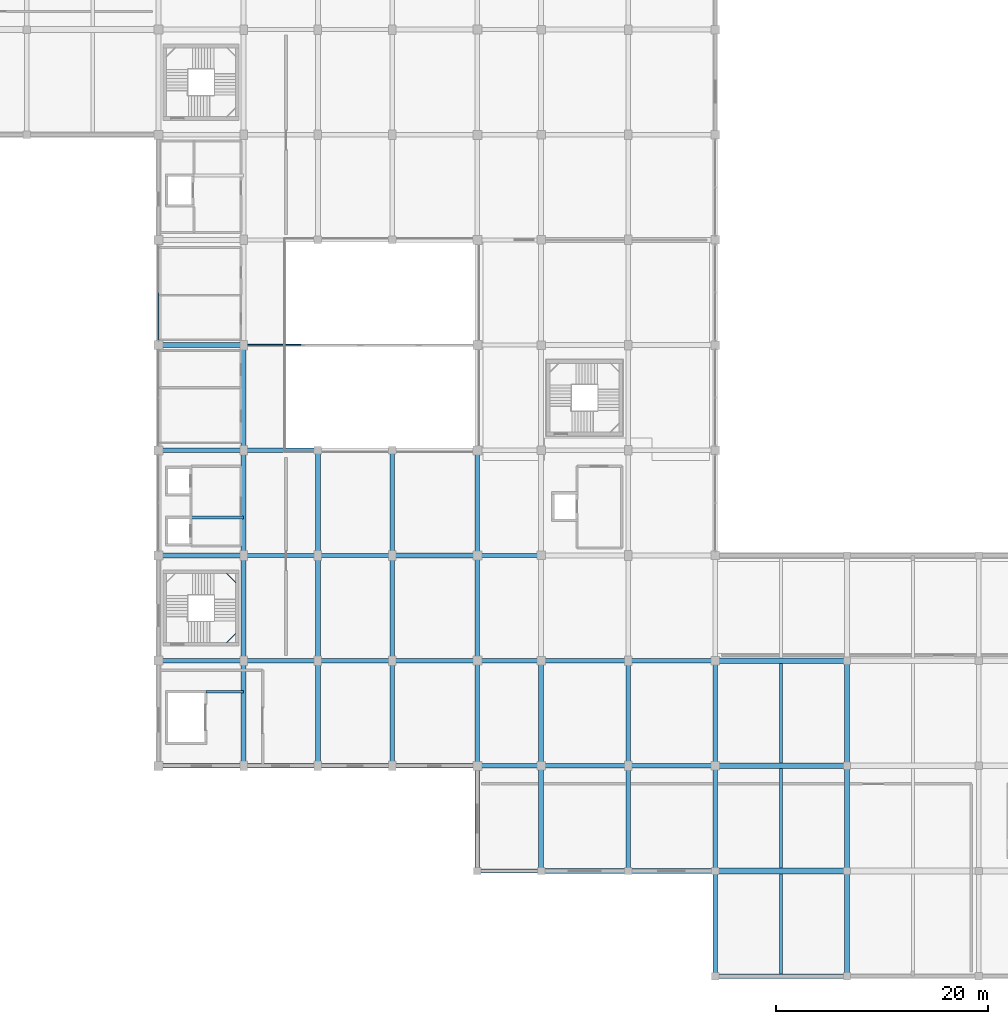
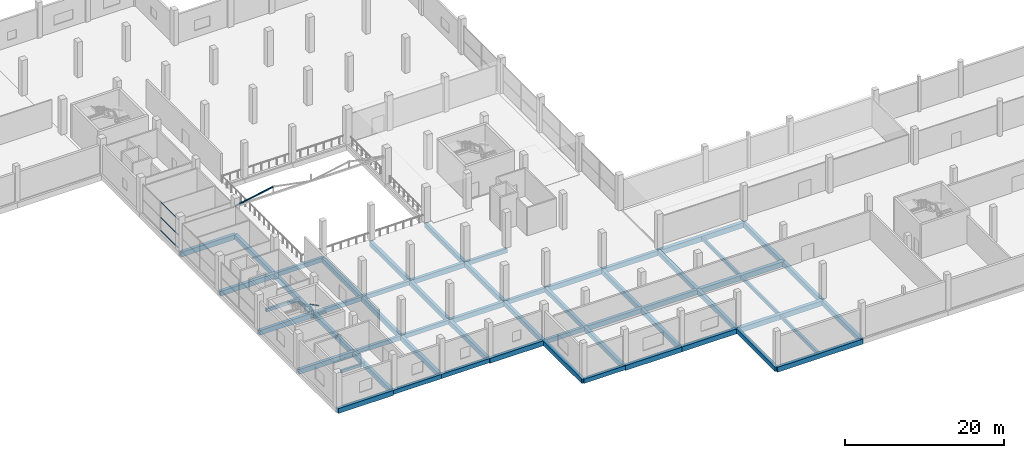
# One storey, part 6 of 74: 60 beams, 4 members, 1 element without a shape of its own.
"""IFC4 building model written with IfcOpenShell, lengths in metres."""

from ifc_helpers import new_model, si_unit, direction, frame, origin, origin_2d, place, context, subcontext, project, spatial, rectangle, hollow_rectangle, extrude, material, layer, layer_set, material_profile, profile_set, type_object, element, aggregate, save


model = new_model("IFC4")

# Units and contexts
model_context = context("Model", 3, precision=1e-05, world=origin(), true_north=direction((0.0, 1.0)))
body_context = subcontext(model_context, "Body", "Model", "MODEL_VIEW")
ifc_project = project(units=[si_unit("LENGTHUNIT", "METRE"), si_unit("AREAUNIT", "SQUARE_METRE"), si_unit("VOLUMEUNIT", "CUBIC_METRE"), si_unit("PLANEANGLEUNIT", "RADIAN"), si_unit("MASSUNIT", "GRAM", prefix="KILO")], contexts=[model_context])

# Site, building, storey
site_placement = place(None, origin())
site = spatial("IfcSite", under=ifc_project, at=site_placement, CompositionType="ELEMENT")
building_placement = place(site_placement, origin())
building = spatial("IfcBuilding", under=site, at=building_placement, Name="Sillaruma Civic Art Gallery", CompositionType="ELEMENT")
storey_placement = place(building_placement, frame((0.0, 0.0, 5.43994140625)))
storey = spatial("IfcBuildingStorey", under=building, at=storey_placement, Name="L01", CompositionType="ELEMENT", Elevation=5.43994140625)

# Beams
ifc_material_1 = material(Name="Concrete H35 (35 MPa)", Category="concrete")
ifc_material_profile_1 = material_profile(ifc_material_1, rectangle(XDim=0.39990234375, YDim=0.64990234375, at=origin_2d()), Name="RCB400x650")
ifc_profile_set_1 = profile_set([ifc_material_profile_1], Name="Concrete H35 (35 MPa)")
beam_type_1 = type_object("IfcBeamType", Name="BM-BEAM-RCB400x650", PredefinedType="BEAM", material=ifc_profile_set_1)
beam_1_placement = place(storey_placement, frame((92.0, 9.89990234375, -0.5849609375), z_axis=(1.0, 0.0, 0.0), x_axis=(0.0, 1.0, 0.0)))
element("IfcBeam", 1, at=beam_1_placement, inside=storey, type_object=beam_type_1, Name="Beam BM-05 (L00:2:K-L)", PredefinedType="BEAM", context=body_context, shape_type="SweptSolid", body=[
    extrude(rectangle(XDim=0.39990234375, YDim=0.64990234375, at=origin_2d()), origin(), (0.0, 0.0, 1.0), 6.0),
])
for number, where, z_axis, x_axis, name in (
    (2, (70.0, 19.800048828125, -0.5849609375), (1.0, 0.0, 0.0), (0.0, 1.0, 0.0), "Beam BM-05 (L00:3:G-H)"),
    (3, (77.0, 19.800048828125, -0.5849609375), (1.0, 0.0, 0.0), (0.0, 1.0, 0.0), "Beam BM-05 (L00:3:H-J)"),
):
    element("IfcBeam", number, at=place(storey_placement, frame(where, z_axis=z_axis, x_axis=x_axis)), inside=storey, type_object=beam_type_1, Name=name, PredefinedType="BEAM", context=body_context, shape_type="SweptSolid", body=[
        extrude(rectangle(XDim=0.39990234375, YDim=0.64990234375, at=origin_2d()), origin(), (0.0, 0.0, 1.0), 7.0),
    ])
beam_2_placement = place(storey_placement, frame((92.0, 19.800048828125, -0.5849609375), z_axis=(1.0, 0.0, 0.0), x_axis=(0.0, 1.0, 0.0)))
element("IfcBeam", 4, at=beam_2_placement, inside=storey, type_object=beam_type_1, Name="Beam BM-05 (L00:3:K-L)", PredefinedType="BEAM", context=body_context, shape_type="SweptSolid", body=[
    extrude(rectangle(XDim=0.39990234375, YDim=0.64990234375, at=origin_2d()), origin(), (0.0, 0.0, 1.0), 6.0),
])
for number, where, z_axis, x_axis, name in (
    (5, (70.0, 29.699951171875, -0.5849609375), (1.0, 0.0, 0.0), (0.0, 1.0, 0.0), "Beam BM-05 (L00:4:G-H)"),
    (6, (77.0, 29.699951171875, -0.5849609375), (1.0, 0.0, 0.0), (0.0, 1.0, 0.0), "Beam BM-05 (L00:4:H-J)"),
):
    element("IfcBeam", number, at=place(storey_placement, frame(where, z_axis=z_axis, x_axis=x_axis)), inside=storey, type_object=beam_type_1, Name=name, PredefinedType="BEAM", context=body_context, shape_type="SweptSolid", body=[
        extrude(rectangle(XDim=0.39990234375, YDim=0.64990234375, at=origin_2d()), origin(), (0.0, 0.0, 1.0), 7.0),
    ])
beam_3_placement = place(storey_placement, frame((92.0, 29.699951171875, -0.5849609375), z_axis=(1.0, 0.0, 0.0), x_axis=(0.0, 1.0, 0.0)))
element("IfcBeam", 7, at=beam_3_placement, inside=storey, type_object=beam_type_1, Name="Beam BM-05 (L00:4:K-L)", PredefinedType="BEAM", context=body_context, shape_type="SweptSolid", body=[
    extrude(rectangle(XDim=0.39990234375, YDim=0.64990234375, at=origin_2d()), origin(), (0.0, 0.0, 1.0), 6.0),
])
for number, where, z_axis, x_axis, name in (
    (8, (70.0, 39.60009765625, -0.5849609375), (1.0, 0.0, 0.0), (0.0, 1.0, 0.0), "Beam BM-05 (L00:5:G-H)"),
    (9, (77.0, 39.60009765625, -0.5849609375), (1.0, 0.0, 0.0), (0.0, 1.0, 0.0), "Beam BM-05 (L00:5:H-J)"),
):
    element("IfcBeam", number, at=place(storey_placement, frame(where, z_axis=z_axis, x_axis=x_axis)), inside=storey, type_object=beam_type_1, Name=name, PredefinedType="BEAM", context=body_context, shape_type="SweptSolid", body=[
        extrude(rectangle(XDim=0.39990234375, YDim=0.64990234375, at=origin_2d()), origin(), (0.0, 0.0, 1.0), 7.0),
    ])
beam_4_placement = place(storey_placement, frame((92.0, 39.60009765625, -0.5849609375), z_axis=(1.0, 0.0, 0.0), x_axis=(0.0, 1.0, 0.0)))
element("IfcBeam", 10, at=beam_4_placement, inside=storey, type_object=beam_type_1, Name="Beam BM-05 (L00:5:K-L)", PredefinedType="BEAM", context=body_context, shape_type="SweptSolid", body=[
    extrude(rectangle(XDim=0.39990234375, YDim=0.64990234375, at=origin_2d()), origin(), (0.0, 0.0, 1.0), 6.0),
])
beam_5_placement = place(storey_placement, frame((70.0, 49.5, -0.5849609375), z_axis=(1.0, 0.0, 0.0), x_axis=(0.0, 1.0, 0.0)))
element("IfcBeam", 11, at=beam_5_placement, inside=storey, type_object=beam_type_1, Name="Beam BM-05 (L00:6:G-H)", PredefinedType="BEAM", context=body_context, shape_type="SweptSolid", body=[
    extrude(rectangle(XDim=0.39990234375, YDim=0.64990234375, at=origin_2d()), origin(), (0.0, 0.0, 1.0), 7.0),
])
ifc_material_2 = material(Name="Concrete H40 (40 MPa)", Category="concrete")
ifc_material_profile_2 = material_profile(ifc_material_2, rectangle(XDim=0.449951171875, YDim=0.75, at=origin_2d()), Name="RCB450x750")
ifc_profile_set_2 = profile_set([ifc_material_profile_2], Name="Concrete H40 (40 MPa)")
beam_type_2 = type_object("IfcBeamType", Name="BM-BEAM-RCB450x750", PredefinedType="BEAM", material=ifc_profile_set_2)
for number, where, z_axis, x_axis, name in (
    (12, (98.0, 9.89990234375, -0.635009765625), (1.0, 0.0, 0.0), (0.0, 1.0, 0.0), "Beam BM-03 (L00:2:L-M)"),
    (13, (106.199951171875, 9.89990234375, -0.635009765625), (1.0, 0.0, 0.0), (0.0, 1.0, 0.0), "Beam BM-03 (L00:2:M-N)"),
):
    element("IfcBeam", number, at=place(storey_placement, frame(where, z_axis=z_axis, x_axis=x_axis)), inside=storey, type_object=beam_type_2, Name=name, PredefinedType="BEAM", context=body_context, shape_type="SweptSolid", body=[
        extrude(rectangle(XDim=0.449951171875, YDim=0.75, at=origin_2d()), origin(), (0.0, 0.0, 1.0), 8.199951171875),
    ])
for number, where, z_axis, x_axis, name in (
    (14, (62.0, 19.800048828125, -0.635009765625), (1.0, 0.0, 0.0), (0.0, 1.0, 0.0), "Beam BM-03 (L00:3:F-G)"),
    (15, (84.0, 19.800048828125, -0.635009765625), (1.0, 0.0, 0.0), (0.0, 1.0, 0.0), "Beam BM-03 (L00:3:J-K)"),
):
    element("IfcBeam", number, at=place(storey_placement, frame(where, z_axis=z_axis, x_axis=x_axis)), inside=storey, type_object=beam_type_2, Name=name, PredefinedType="BEAM", context=body_context, shape_type="SweptSolid", body=[
        extrude(rectangle(XDim=0.449951171875, YDim=0.75, at=origin_2d()), origin(), (0.0, 0.0, 1.0), 8.0),
    ])
for number, where, z_axis, x_axis, name in (
    (16, (98.0, 19.800048828125, -0.635009765625), (1.0, 0.0, 0.0), (0.0, 1.0, 0.0), "Beam BM-03 (L00:3:L-M)"),
    (17, (106.199951171875, 19.800048828125, -0.635009765625), (1.0, 0.0, 0.0), (0.0, 1.0, 0.0), "Beam BM-03 (L00:3:M-N)"),
):
    element("IfcBeam", number, at=place(storey_placement, frame(where, z_axis=z_axis, x_axis=x_axis)), inside=storey, type_object=beam_type_2, Name=name, PredefinedType="BEAM", context=body_context, shape_type="SweptSolid", body=[
        extrude(rectangle(XDim=0.449951171875, YDim=0.75, at=origin_2d()), origin(), (0.0, 0.0, 1.0), 8.199951171875),
    ])
for number, where, z_axis, x_axis, name in (
    (18, (62.0, 29.699951171875, -0.635009765625), (1.0, 0.0, 0.0), (0.0, 1.0, 0.0), "Beam BM-03 (L00:4:F-G)"),
    (19, (84.0, 29.699951171875, -0.635009765625), (1.0, 0.0, 0.0), (0.0, 1.0, 0.0), "Beam BM-03 (L00:4:J-K)"),
):
    element("IfcBeam", number, at=place(storey_placement, frame(where, z_axis=z_axis, x_axis=x_axis)), inside=storey, type_object=beam_type_2, Name=name, PredefinedType="BEAM", context=body_context, shape_type="SweptSolid", body=[
        extrude(rectangle(XDim=0.449951171875, YDim=0.75, at=origin_2d()), origin(), (0.0, 0.0, 1.0), 8.0),
    ])
for number, where, z_axis, x_axis, name in (
    (20, (98.0, 29.699951171875, -0.635009765625), (1.0, 0.0, 0.0), (0.0, 1.0, 0.0), "Beam BM-03 (L00:4:L-M)"),
    (21, (106.199951171875, 29.699951171875, -0.635009765625), (1.0, 0.0, 0.0), (0.0, 1.0, 0.0), "Beam BM-03 (L00:4:M-N)"),
):
    element("IfcBeam", number, at=place(storey_placement, frame(where, z_axis=z_axis, x_axis=x_axis)), inside=storey, type_object=beam_type_2, Name=name, PredefinedType="BEAM", context=body_context, shape_type="SweptSolid", body=[
        extrude(rectangle(XDim=0.449951171875, YDim=0.75, at=origin_2d()), origin(), (0.0, 0.0, 1.0), 8.199951171875),
    ])
for number, where, z_axis, x_axis, name in (
    (22, (62.0, 39.60009765625, -0.635009765625), (1.0, 0.0, 0.0), (0.0, 1.0, 0.0), "Beam BM-03 (L00:5:F-G)"),
    (23, (84.0, 39.60009765625, -0.635009765625), (1.0, 0.0, 0.0), (0.0, 1.0, 0.0), "Beam BM-03 (L00:5:J-K)"),
    (24, (62.0, 49.5, -0.635009765625), (1.0, 0.0, 0.0), (0.0, 1.0, 0.0), "Beam BM-03 (L00:6:F-G)"),
    (25, (62.0, 59.39990234375, -0.635009765625), (1.0, 0.0, 0.0), (0.0, 1.0, 0.0), "Beam BM-03 (L00:7:F-G)"),
):
    element("IfcBeam", number, at=place(storey_placement, frame(where, z_axis=z_axis, x_axis=x_axis)), inside=storey, type_object=beam_type_2, Name=name, PredefinedType="BEAM", context=body_context, shape_type="SweptSolid", body=[
        extrude(rectangle(XDim=0.449951171875, YDim=0.75, at=origin_2d()), origin(), (0.0, 0.0, 1.0), 8.0),
    ])
beam_6_placement = place(storey_placement, frame((70.0, 19.800048828125, -0.635009765625), z_axis=(0.0, 1.0, 0.0), x_axis=(-1.0, 0.0, 0.0)))
element("IfcBeam", 26, at=beam_6_placement, inside=storey, type_object=beam_type_2, Name="Beam BM-03 (L00:G:3-4)", PredefinedType="BEAM", context=body_context, shape_type="SweptSolid", body=[
    extrude(rectangle(XDim=0.449951171875, YDim=0.75, at=origin_2d()), origin(), (0.0, 0.0, 1.0), 9.89990234375),
])
beam_7_placement = place(storey_placement, frame((70.0, 29.699951171875, -0.635009765625), z_axis=(0.0, 1.0, 0.0), x_axis=(-1.0, 0.0, 0.0)))
element("IfcBeam", 27, at=beam_7_placement, inside=storey, type_object=beam_type_2, Name="Beam BM-03 (L00:G:4-5)", PredefinedType="BEAM", context=body_context, shape_type="SweptSolid", body=[
    extrude(rectangle(XDim=0.449951171875, YDim=0.75, at=origin_2d()), origin(), (0.0, 0.0, 1.0), 9.900146484375),
])
for number, where, z_axis, x_axis, name in (
    (28, (70.0, 39.60009765625, -0.635009765625), (0.0, 1.0, 0.0), (-1.0, 0.0, 0.0), "Beam BM-03 (L00:G:5-6)"),
    (29, (70.0, 49.5, -0.635009765625), (0.0, 1.0, 0.0), (-1.0, 0.0, 0.0), "Beam BM-03 (L00:G:6-7)"),
    (30, (77.0, 19.800048828125, -0.635009765625), (0.0, 1.0, 0.0), (-1.0, 0.0, 0.0), "Beam BM-03 (L00:H:3-4)"),
):
    element("IfcBeam", number, at=place(storey_placement, frame(where, z_axis=z_axis, x_axis=x_axis)), inside=storey, type_object=beam_type_2, Name=name, PredefinedType="BEAM", context=body_context, shape_type="SweptSolid", body=[
        extrude(rectangle(XDim=0.449951171875, YDim=0.75, at=origin_2d()), origin(), (0.0, 0.0, 1.0), 9.89990234375),
    ])
beam_8_placement = place(storey_placement, frame((77.0, 29.699951171875, -0.635009765625), z_axis=(0.0, 1.0, 0.0), x_axis=(-1.0, 0.0, 0.0)))
element("IfcBeam", 31, at=beam_8_placement, inside=storey, type_object=beam_type_2, Name="Beam BM-03 (L00:H:4-5)", PredefinedType="BEAM", context=body_context, shape_type="SweptSolid", body=[
    extrude(rectangle(XDim=0.449951171875, YDim=0.75, at=origin_2d()), origin(), (0.0, 0.0, 1.0), 9.900146484375),
])
for number, where, z_axis, x_axis, name in (
    (32, (77.0, 39.60009765625, -0.635009765625), (0.0, 1.0, 0.0), (-1.0, 0.0, 0.0), "Beam BM-03 (L00:H:5-6)"),
    (33, (84.0, 19.800048828125, -0.635009765625), (0.0, 1.0, 0.0), (-1.0, 0.0, 0.0), "Beam BM-03 (L00:J:3-4)"),
):
    element("IfcBeam", number, at=place(storey_placement, frame(where, z_axis=z_axis, x_axis=x_axis)), inside=storey, type_object=beam_type_2, Name=name, PredefinedType="BEAM", context=body_context, shape_type="SweptSolid", body=[
        extrude(rectangle(XDim=0.449951171875, YDim=0.75, at=origin_2d()), origin(), (0.0, 0.0, 1.0), 9.89990234375),
    ])
beam_9_placement = place(storey_placement, frame((84.0, 29.699951171875, -0.635009765625), z_axis=(0.0, 1.0, 0.0), x_axis=(-1.0, 0.0, 0.0)))
element("IfcBeam", 34, at=beam_9_placement, inside=storey, type_object=beam_type_2, Name="Beam BM-03 (L00:J:4-5)", PredefinedType="BEAM", context=body_context, shape_type="SweptSolid", body=[
    extrude(rectangle(XDim=0.449951171875, YDim=0.75, at=origin_2d()), origin(), (0.0, 0.0, 1.0), 9.900146484375),
])
beam_10_placement = place(storey_placement, frame((84.0, 39.60009765625, -0.635009765625), z_axis=(0.0, 1.0, 0.0), x_axis=(-1.0, 0.0, 0.0)))
element("IfcBeam", 35, at=beam_10_placement, inside=storey, type_object=beam_type_2, Name="Beam BM-03 (L00:J:5-6)", PredefinedType="BEAM", context=body_context, shape_type="SweptSolid", body=[
    extrude(rectangle(XDim=0.449951171875, YDim=0.75, at=origin_2d()), origin(), (0.0, 0.0, 1.0), 9.89990234375),
])
beam_11_placement = place(storey_placement, frame((106.199951171875, 9.89990234375, -0.635009765625), z_axis=(0.0, 1.0, 0.0), x_axis=(-1.0, 0.0, 0.0)))
element("IfcBeam", 36, at=beam_11_placement, inside=storey, type_object=beam_type_2, Name="Beam BM-03 (L00:M:2-3)", PredefinedType="BEAM", context=body_context, shape_type="SweptSolid", body=[
    extrude(rectangle(XDim=0.449951171875, YDim=0.75, at=origin_2d()), origin(), (0.0, 0.0, 1.0), 9.900146484375),
])
for number, where, z_axis, x_axis, name in (
    (37, (106.199951171875, 19.800048828125, -0.635009765625), (0.0, 1.0, 0.0), (-1.0, 0.0, 0.0), "Beam BM-03 (L00:M:3-4)"),
    (38, (126.800048828125, 0.0, -0.635009765625), (0.0, 1.0, 0.0), (-1.0, 0.0, 0.0), "Beam BM-03 (L00:P:1-2)"),
):
    element("IfcBeam", number, at=place(storey_placement, frame(where, z_axis=z_axis, x_axis=x_axis)), inside=storey, type_object=beam_type_2, Name=name, PredefinedType="BEAM", context=body_context, shape_type="SweptSolid", body=[
        extrude(rectangle(XDim=0.449951171875, YDim=0.75, at=origin_2d()), origin(), (0.0, 0.0, 1.0), 9.89990234375),
    ])
beam_12_placement = place(storey_placement, frame((126.800048828125, 9.89990234375, -0.635009765625), z_axis=(0.0, 1.0, 0.0), x_axis=(-1.0, 0.0, 0.0)))
element("IfcBeam", 39, at=beam_12_placement, inside=storey, type_object=beam_type_2, Name="Beam BM-03 (L00:P:2-3)", PredefinedType="BEAM", context=body_context, shape_type="SweptSolid", body=[
    extrude(rectangle(XDim=0.449951171875, YDim=0.75, at=origin_2d()), origin(), (0.0, 0.0, 1.0), 9.900146484375),
])
beam_13_placement = place(storey_placement, frame((126.800048828125, 19.800048828125, -0.635009765625), z_axis=(0.0, 1.0, 0.0), x_axis=(-1.0, 0.0, 0.0)))
element("IfcBeam", 40, at=beam_13_placement, inside=storey, type_object=beam_type_2, Name="Beam BM-03 (L00:P:3-4)", PredefinedType="BEAM", context=body_context, shape_type="SweptSolid", body=[
    extrude(rectangle(XDim=0.449951171875, YDim=0.75, at=origin_2d()), origin(), (0.0, 0.0, 1.0), 9.89990234375),
])
ifc_material_profile_3 = material_profile(ifc_material_1, rectangle(XDim=0.300048828125, YDim=0.52001953125, at=origin_2d()), Name="RCB300x520")
ifc_profile_set_3 = profile_set([ifc_material_profile_3], Name="Concrete H35 (35 MPa)")
beam_type_3 = type_object("IfcBeamType", Name="BM-JOIST-RCB300x520", PredefinedType="JOIST", material=ifc_profile_set_3)
beam_14_placement = place(storey_placement, frame((120.60009765625, 0.22509765625, -0.52001953125), z_axis=(0.0, 1.0, 0.0), x_axis=(-1.0, 0.0, 0.0)))
element("IfcBeam", 41, at=beam_14_placement, inside=storey, type_object=beam_type_3, Name="Floor Joist JR-01 (L00:NP:1-2)", PredefinedType="JOIST", context=body_context, shape_type="SweptSolid", body=[
    extrude(rectangle(XDim=0.300048828125, YDim=0.52001953125, at=origin_2d()), origin(), (0.0, 0.0, 1.0), 9.414794921875),
])
beam_15_placement = place(storey_placement, frame((120.60009765625, 10.159912109375, -0.52001953125), z_axis=(0.0, 1.0, 0.0), x_axis=(-1.0, 0.0, 0.0)))
element("IfcBeam", 42, at=beam_15_placement, inside=storey, type_object=beam_type_3, Name="Floor Joist JR-01 (L00:NP:2-3)", PredefinedType="JOIST", context=body_context, shape_type="SweptSolid", body=[
    extrude(rectangle(XDim=0.300048828125, YDim=0.52001953125, at=origin_2d()), origin(), (0.0, 0.0, 1.0), 9.380126953125),
])
beam_16_placement = place(storey_placement, frame((120.60009765625, 20.06005859375, -0.52001953125), z_axis=(0.0, 1.0, 0.0), x_axis=(-1.0, 0.0, 0.0)))
element("IfcBeam", 43, at=beam_16_placement, inside=storey, type_object=beam_type_3, Name="Floor Joist JR-01 (L00:NP:3-4)", PredefinedType="JOIST", context=body_context, shape_type="SweptSolid", body=[
    extrude(rectangle(XDim=0.300048828125, YDim=0.52001953125, at=origin_2d()), origin(), (0.0, 0.0, 1.0), 9.3798828125),
])
ifc_material_profile_4 = material_profile(ifc_material_1, rectangle(XDim=0.260009765625, YDim=0.419921875, at=origin_2d()), Name="RCB260x420")
ifc_profile_set_4 = profile_set([ifc_material_profile_4], Name="Concrete H35 (35 MPa)")
beam_type_4 = type_object("IfcBeamType", Name="BM-LINTEL-RCB260x420", PredefinedType="LINTEL", material=ifc_profile_set_4)
beam_17_placement = place(storey_placement, frame((66.449951171875, 26.780029296875, -0.469970703125), z_axis=(1.0, 0.0, 0.0), x_axis=(0.0, 1.0, 0.0)))
element("IfcBeam", 44, at=beam_17_placement, inside=storey, type_object=beam_type_4, Name="Core Portal Coupling Lintel BL-02 (L00:GL1)", PredefinedType="LINTEL", context=body_context, shape_type="SweptSolid", body=[
    extrude(rectangle(XDim=0.260009765625, YDim=0.419921875, at=origin_2d()), origin(), (0.0, 0.0, 1.0), 3.550048828125),
])
ifc_material_profile_5 = material_profile(ifc_material_1, rectangle(XDim=0.300048828125, YDim=0.4599609375, at=origin_2d()), Name="RCB300x460")
ifc_profile_set_5 = profile_set([ifc_material_profile_5], Name="Concrete H35 (35 MPa)")
beam_type_5 = type_object("IfcBeamType", Name="BM-LINTEL-RCB300x460", PredefinedType="LINTEL", material=ifc_profile_set_5)
beam_18_placement = place(storey_placement, frame((65.050048828125, 43.179931640625, -0.489990234375), z_axis=(1.0, 0.0, 0.0), x_axis=(0.0, 1.0, 0.0)))
element("IfcBeam", 45, at=beam_18_placement, inside=storey, type_object=beam_type_5, Name="Core Portal Coupling Lintel BL-01 (L00:PL1)", PredefinedType="LINTEL", context=body_context, shape_type="SweptSolid", body=[
    extrude(rectangle(XDim=0.300048828125, YDim=0.4599609375, at=origin_2d()), origin(), (0.0, 0.0, 1.0), 4.949951171875),
])
ifc_material_3 = material(Name="Structural Steel ASTM A500 Gr.C", Category="steel")
ifc_material_profile_6 = material_profile(ifc_material_3, hollow_rectangle(XDim=0.080078125, YDim=0.159912109375, WallThickness=0.008056640625, InnerFilletRadius=0.008056640625, OuterFilletRadius=0.01611328125, at=origin_2d()), Name="HSS160x80x8")
ifc_profile_set_6 = profile_set([ifc_material_profile_6], Name="Structural Steel ASTM A500 Gr.C")
beam_type_6 = type_object("IfcBeamType", Name="BM-LND-HSS160", PredefinedType="BEAM", material=ifc_profile_set_6)
for number, where, z_axis, x_axis, name in (
    (46, (68.389892578125, 31.3701171875, 1.080078125), (0.707203758046, 0.707009791025, 0.0), (-0.707009791025, 0.707203758046, 0.0), "Stair Corner Landing Trimmer Beam (ST-03-L01-1)"),
    (47, (68.389892578125, 37.929931640625, 2.43994140625), (0.707203758046, -0.707009791025, 0.0), (0.707009791025, 0.707203758046, 0.0), "Stair Corner Landing Trimmer Beam (ST-03-L01-2)"),
):
    element("IfcBeam", number, at=place(storey_placement, frame(where, z_axis=z_axis, x_axis=x_axis)), inside=storey, type_object=beam_type_6, Name=name, PredefinedType="BEAM", context=body_context, shape_type="SweptSolid", body=[
        extrude(hollow_rectangle(XDim=0.080078125, YDim=0.159912109375, WallThickness=0.008056640625, InnerFilletRadius=0.008056640625, OuterFilletRadius=0.01611328125, at=origin_2d()), origin(), (0.0, 0.0, 1.0), 1.2587890625),
    ])
ifc_material_profile_7 = material_profile(ifc_material_1, rectangle(XDim=0.449951171875, YDim=0.699951171875, at=origin_2d()), Name="RCB450x700")
ifc_profile_set_7 = profile_set([ifc_material_profile_7], Name="Concrete H35 (35 MPa)")
beam_type_7 = type_object("IfcBeamType", Name="BM-SPANDREL-RCB450x700", PredefinedType="SPANDREL", material=ifc_profile_set_7)
beam_19_placement = place(storey_placement, frame((92.0, 9.89990234375, -0.60986328125), z_axis=(0.0, 1.0, 0.0), x_axis=(-1.0, 0.0, 0.0)))
element("IfcBeam", 48, at=beam_19_placement, inside=storey, type_object=beam_type_7, Name="Beam BS-03 (L00:K:2-3)", PredefinedType="SPANDREL", context=body_context, shape_type="SweptSolid", body=[
    extrude(rectangle(XDim=0.449951171875, YDim=0.699951171875, at=origin_2d()), origin(), (0.0, 0.0, 1.0), 9.900146484375),
])
beam_20_placement = place(storey_placement, frame((92.0, 19.800048828125, -0.60986328125), z_axis=(0.0, 1.0, 0.0), x_axis=(-1.0, 0.0, 0.0)))
element("IfcBeam", 49, at=beam_20_placement, inside=storey, type_object=beam_type_7, Name="Beam BS-03 (L00:K:3-4)", PredefinedType="SPANDREL", context=body_context, shape_type="SweptSolid", body=[
    extrude(rectangle(XDim=0.449951171875, YDim=0.699951171875, at=origin_2d()), origin(), (0.0, 0.0, 1.0), 9.89990234375),
])
beam_21_placement = place(storey_placement, frame((92.0, 29.699951171875, -0.60986328125), z_axis=(0.0, 1.0, 0.0), x_axis=(-1.0, 0.0, 0.0)))
element("IfcBeam", 50, at=beam_21_placement, inside=storey, type_object=beam_type_7, Name="Beam BS-03 (L00:K:4-5)", PredefinedType="SPANDREL", context=body_context, shape_type="SweptSolid", body=[
    extrude(rectangle(XDim=0.449951171875, YDim=0.699951171875, at=origin_2d()), origin(), (0.0, 0.0, 1.0), 9.900146484375),
])
beam_22_placement = place(storey_placement, frame((92.0, 39.60009765625, -0.60986328125), z_axis=(0.0, 1.0, 0.0), x_axis=(-1.0, 0.0, 0.0)))
element("IfcBeam", 51, at=beam_22_placement, inside=storey, type_object=beam_type_7, Name="Beam BS-03 (L00:K:5-6)", PredefinedType="SPANDREL", context=body_context, shape_type="SweptSolid", body=[
    extrude(rectangle(XDim=0.449951171875, YDim=0.699951171875, at=origin_2d()), origin(), (0.0, 0.0, 1.0), 9.89990234375),
])
beam_23_placement = place(storey_placement, frame((98.0, 9.89990234375, -0.60986328125), z_axis=(0.0, 1.0, 0.0), x_axis=(-1.0, 0.0, 0.0)))
element("IfcBeam", 52, at=beam_23_placement, inside=storey, type_object=beam_type_7, Name="Beam BS-03 (L00:L:2-3)", PredefinedType="SPANDREL", context=body_context, shape_type="SweptSolid", body=[
    extrude(rectangle(XDim=0.449951171875, YDim=0.699951171875, at=origin_2d()), origin(), (0.0, 0.0, 1.0), 9.900146484375),
])
for number, where, z_axis, x_axis, name in (
    (53, (98.0, 19.800048828125, -0.60986328125), (0.0, 1.0, 0.0), (-1.0, 0.0, 0.0), "Beam BS-03 (L00:L:3-4)"),
    (54, (114.39990234375, 0.0, -0.60986328125), (0.0, 1.0, 0.0), (-1.0, 0.0, 0.0), "Beam BS-03 (L00:N:1-2)"),
):
    element("IfcBeam", number, at=place(storey_placement, frame(where, z_axis=z_axis, x_axis=x_axis)), inside=storey, type_object=beam_type_7, Name=name, PredefinedType="SPANDREL", context=body_context, shape_type="SweptSolid", body=[
        extrude(rectangle(XDim=0.449951171875, YDim=0.699951171875, at=origin_2d()), origin(), (0.0, 0.0, 1.0), 9.89990234375),
    ])
beam_24_placement = place(storey_placement, frame((114.39990234375, 9.89990234375, -0.60986328125), z_axis=(0.0, 1.0, 0.0), x_axis=(-1.0, 0.0, 0.0)))
element("IfcBeam", 55, at=beam_24_placement, inside=storey, type_object=beam_type_7, Name="Beam BS-03 (L00:N:2-3)", PredefinedType="SPANDREL", context=body_context, shape_type="SweptSolid", body=[
    extrude(rectangle(XDim=0.449951171875, YDim=0.699951171875, at=origin_2d()), origin(), (0.0, 0.0, 1.0), 9.900146484375),
])
beam_25_placement = place(storey_placement, frame((114.39990234375, 19.800048828125, -0.60986328125), z_axis=(0.0, 1.0, 0.0), x_axis=(-1.0, 0.0, 0.0)))
element("IfcBeam", 56, at=beam_25_placement, inside=storey, type_object=beam_type_7, Name="Beam BS-03 (L00:N:3-4)", PredefinedType="SPANDREL", context=body_context, shape_type="SweptSolid", body=[
    extrude(rectangle(XDim=0.449951171875, YDim=0.699951171875, at=origin_2d()), origin(), (0.0, 0.0, 1.0), 9.89990234375),
])
ifc_material_profile_8 = material_profile(ifc_material_2, rectangle(XDim=0.449951171875, YDim=0.75, at=origin_2d()), Name="RCB450x750")
ifc_profile_set_8 = profile_set([ifc_material_profile_8], Name="Concrete H40 (40 MPa)")
beam_type_8 = type_object("IfcBeamType", Name="BM-SPANDREL-RCB450x750", PredefinedType="SPANDREL", material=ifc_profile_set_8)
beam_26_placement = place(storey_placement, frame((114.39990234375, 0.0, -0.635009765625), z_axis=(1.0, 0.0, 0.0), x_axis=(0.0, 1.0, 0.0)))
element("IfcBeam", 57, at=beam_26_placement, inside=storey, type_object=beam_type_8, Name="Beam BS-01 (L00:1:N-P)", PredefinedType="SPANDREL", context=body_context, shape_type="SweptSolid", body=[
    extrude(rectangle(XDim=0.449951171875, YDim=0.75, at=origin_2d()), origin(), (0.0, 0.0, 1.0), 12.400146484375),
])
ifc_material_profile_9 = material_profile(ifc_material_2, rectangle(XDim=0.52001953125, YDim=0.780029296875, at=origin_2d()), Name="RCT520x780")
ifc_profile_set_9 = profile_set([ifc_material_profile_9], Name="Concrete H40 (40 MPa)")
beam_type_9 = type_object("IfcBeamType", Name="BM-T_BEAM-RCT520x780", PredefinedType="T_BEAM", material=ifc_profile_set_9)
for number, where, z_axis, x_axis, name in (
    (58, (114.39990234375, 9.89990234375, -0.64990234375), (1.0, 0.0, 0.0), (0.0, 1.0, 0.0), "Beam BT-01 (L00:2:N-P)"),
    (59, (114.39990234375, 19.800048828125, -0.64990234375), (1.0, 0.0, 0.0), (0.0, 1.0, 0.0), "Beam BT-01 (L00:3:N-P)"),
    (60, (114.39990234375, 29.699951171875, -0.64990234375), (1.0, 0.0, 0.0), (0.0, 1.0, 0.0), "Beam BT-01 (L00:4:N-P)"),
):
    element("IfcBeam", number, at=place(storey_placement, frame(where, z_axis=z_axis, x_axis=x_axis)), inside=storey, type_object=beam_type_9, Name=name, PredefinedType="T_BEAM", context=body_context, shape_type="SweptSolid", body=[
        extrude(rectangle(XDim=0.52001953125, YDim=0.780029296875, at=origin_2d()), origin(), (0.0, 0.0, 1.0), 12.400146484375),
    ])

# Member
ifc_material_profile_10 = material_profile(ifc_material_3, hollow_rectangle(XDim=0.179931640625, YDim=0.179931640625, WallThickness=0.010009765625, InnerFilletRadius=0.010009765625, OuterFilletRadius=0.02001953125, at=origin_2d()), Name="HSS180x180x10")
ifc_profile_set_10 = profile_set([ifc_material_profile_10], Name="Structural Steel ASTM A500 Gr.C")
member_type_1 = type_object("IfcMemberType", Name="MEM-BRACE-HSS180x180x10", PredefinedType="BRACE", material=ifc_profile_set_10)
member_1_placement = place(storey_placement, frame((70.0, 59.39990234375, 3.955078125), z_axis=(0.982618444272, 0.0, 0.185636723137), x_axis=(0.0, 1.0, 0.0)))
element("IfcMember", 61, at=member_1_placement, inside=storey, type_object=member_type_1, Name="Warren Truss Diagonal TR-L01-1-D1", PredefinedType="BRACE", context=body_context, shape_type="SweptSolid", body=[
    extrude(hollow_rectangle(XDim=0.179931640625, YDim=0.179931640625, WallThickness=0.010009765625, InnerFilletRadius=0.010009765625, OuterFilletRadius=0.02001953125, at=origin_2d()), origin(), (0.0, 0.0, 1.0), 5.59716796875),
])

# Curtain wall, members
ifc_material_4 = material(Name="Thermally Broken Extruded Aluminium 6063-T6", Category="aluminium")
ifc_layer = layer(ifc_material_4, 0.139892578125, Name="Thermally Broken Extruded Aluminium 6063-T6")
ifc_layer_set = layer_set([ifc_layer], Name="Thermally Broken Extruded Aluminium 6063-T6")
curtain_wall_type = type_object("IfcCurtainWallType", Name="CW-UNI-05", PredefinedType="NOTDEFINED", material=ifc_layer_set)
curtain_wall_placement = place(storey_placement, origin())
curtain_wall = element("IfcCurtainWall", 62, at=curtain_wall_placement, inside=storey, type_object=curtain_wall_type, Name="Unitised Curtain Wall CW-05 (CW-L01-SPW-5)", PredefinedType="NOTDEFINED")
ifc_material_profile_11 = material_profile(ifc_material_4, hollow_rectangle(XDim=0.06494140625, YDim=0.1201171875, WallThickness=0.00341796875, at=origin_2d()), Name="CWT65x120")
ifc_profile_set_11 = profile_set([ifc_material_profile_11], Name="Thermally Broken Extruded Aluminium 6063-T6")
member_type_2 = type_object("IfcMemberType", Name="MEM-TRN-CWT65x120", PredefinedType="USERDEFINED", material=ifc_profile_set_11)
member_2_placement = place(storey_placement, frame((62.0, 59.885009765625, 0.032470703125), z_axis=(0.0, 1.0, 0.0), x_axis=(-1.0, 0.0, 0.0)))
member_2 = element("IfcMember", 63, at=member_2_placement, type_object=member_type_2, Name="CW-05 transom 1.1", ObjectType="TRANSOM", PredefinedType="USERDEFINED", context=body_context, shape_type="SweptSolid", body=[
    extrude(hollow_rectangle(XDim=0.06494140625, YDim=0.1201171875, WallThickness=0.00341796875, at=origin_2d()), origin(), (0.0, 0.0, 1.0), 4.43505859375),
])
member_3_placement = place(storey_placement, frame((62.0, 59.885009765625, 2.024169921875), z_axis=(0.0, 1.0, 0.0), x_axis=(-1.0, 0.0, 0.0)))
member_3 = element("IfcMember", 64, at=member_3_placement, type_object=member_type_2, Name="CW-05 transom 1.2", ObjectType="TRANSOM", PredefinedType="USERDEFINED", context=body_context, shape_type="SweptSolid", body=[
    extrude(hollow_rectangle(XDim=0.06494140625, YDim=0.1201171875, WallThickness=0.00341796875, at=origin_2d()), origin(), (0.0, 0.0, 1.0), 4.43505859375),
])
member_4_placement = place(storey_placement, frame((62.0, 59.885009765625, 4.36767578125), z_axis=(0.0, 1.0, 0.0), x_axis=(-1.0, 0.0, 0.0)))
member_4 = element("IfcMember", 65, at=member_4_placement, type_object=member_type_2, Name="CW-05 transom 1.3", ObjectType="TRANSOM", PredefinedType="USERDEFINED", context=body_context, shape_type="SweptSolid", body=[
    extrude(hollow_rectangle(XDim=0.06494140625, YDim=0.1201171875, WallThickness=0.00341796875, at=origin_2d()), origin(), (0.0, 0.0, 1.0), 4.43505859375),
])
aggregate(curtain_wall, [member_2, member_3, member_4])

save(model, "model.ifc")
